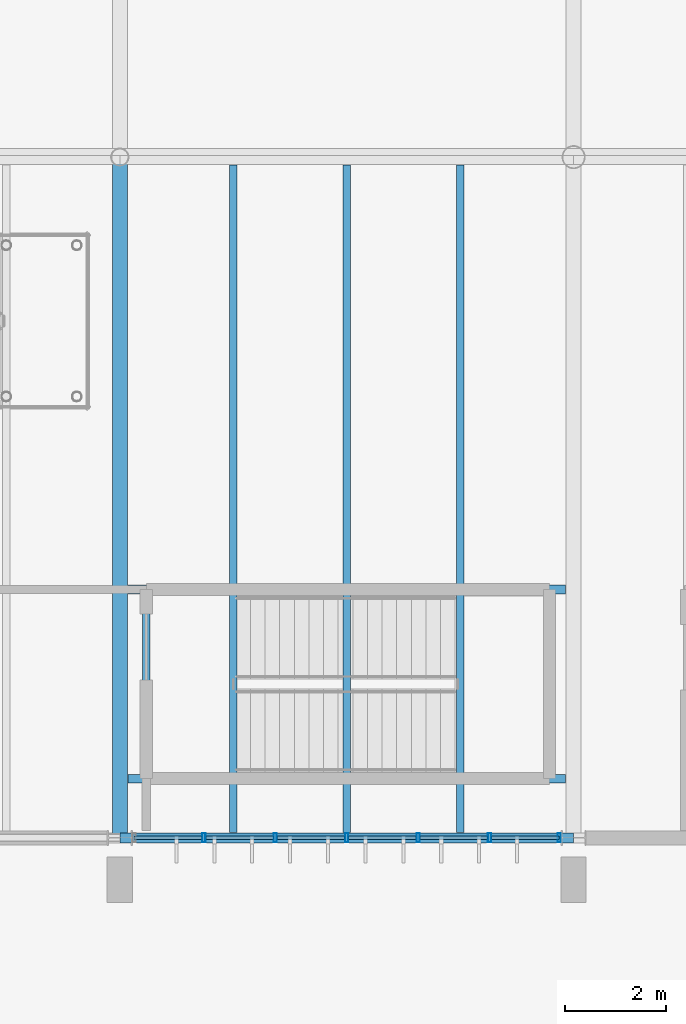
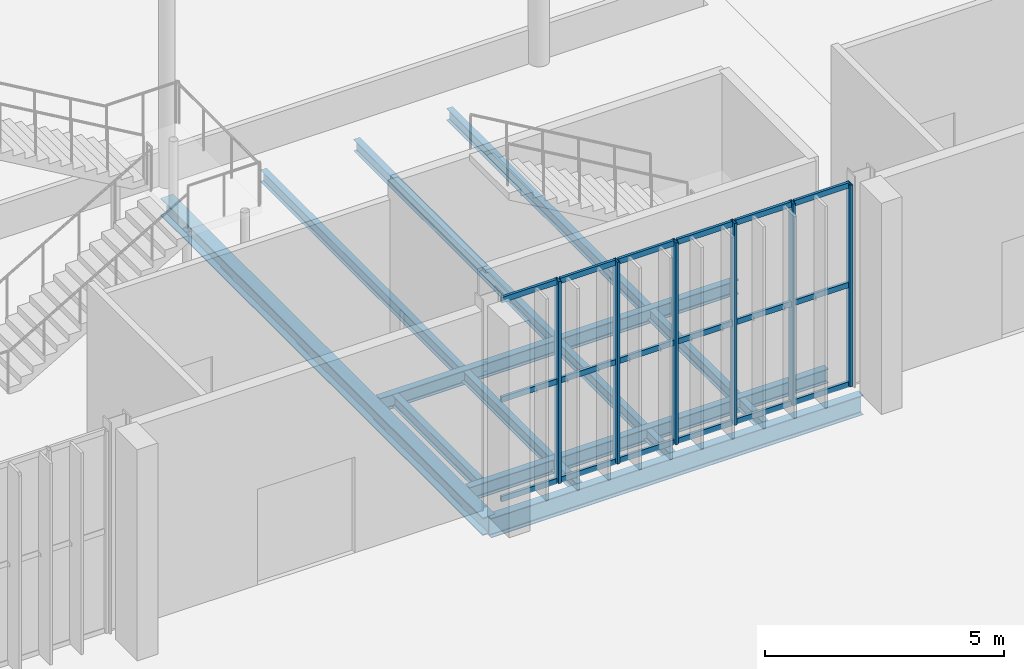
# One storey, part 39 of 158: 24 members, 8 beams, 1 element without a shape of its own.
"""IFC4 building model written with IfcOpenShell, lengths in metres."""

from ifc_helpers import new_model, si_unit, derived_unit, direction, frame, origin, origin_2d, place, context, subcontext, project, spatial, hollow_rectangle, i_section, extrude, material, material_profile, profile_set, type_object, element, aggregate, save


model = new_model("IFC4")

# Units and contexts
model_context = context("Model", 3, precision=1e-05, world=origin(), true_north=direction((0.0, 1.0)))
body_context = subcontext(model_context, "Body", "Model", "MODEL_VIEW")
ifc_project = project(units=[si_unit("LENGTHUNIT", "METRE"), si_unit("AREAUNIT", "SQUARE_METRE"), si_unit("VOLUMEUNIT", "CUBIC_METRE"), si_unit("PLANEANGLEUNIT", "RADIAN"), si_unit("MASSUNIT", "GRAM", prefix="KILO"), si_unit("THERMODYNAMICTEMPERATUREUNIT", "KELVIN"), si_unit("TIMEUNIT", "SECOND"), derived_unit("THERMALTRANSMITTANCEUNIT", [(si_unit("MASSUNIT", "GRAM", prefix="KILO"), 1), (si_unit("THERMODYNAMICTEMPERATUREUNIT", "KELVIN"), -1), (si_unit("TIMEUNIT", "SECOND"), -3)])], contexts=[model_context])

# Site, building, storey
site_placement = place(None, origin())
site = spatial("IfcSite", under=ifc_project, at=site_placement, CompositionType="ELEMENT")
building_placement = place(site_placement, origin())
building = spatial("IfcBuilding", under=site, at=building_placement, Name="Cambertide Market Hall", CompositionType="ELEMENT")
storey_placement = place(building_placement, origin())
storey = spatial("IfcBuildingStorey", under=building, at=storey_placement, Name="L01", CompositionType="ELEMENT", Elevation=0.0)

# Curtain wall, members
ifc_material_1 = material(Name="Marine Anodized Aluminium 6063-T6 AA25", Category="aluminium")
curtain_wall_type = type_object("IfcCurtainWallType", Name="Lantern Straight Lower Curtain Wall", PredefinedType="USERDEFINED", material=ifc_material_1)
curtain_wall_placement = place(storey_placement, origin())
curtain_wall = element("IfcCurtainWall", 1, at=curtain_wall_placement, inside=storey, type_object=curtain_wall_type, Name="Level 1 Curtain Wall CW-V1S-L01-3", ObjectType="UNITIZED CURTAIN WALL", PredefinedType="USERDEFINED")
ifc_material_2 = material(Name="Champagne Marine Anodized Aluminium 6063-T6 AA25", Category="aluminium")
ifc_material_profile_1 = material_profile(ifc_material_2, hollow_rectangle(XDim=0.06494140625, YDim=0.179931640625, WallThickness=0.00390625, at=origin_2d()), Name="ALU MULLION 65x180")
ifc_profile_set_1 = profile_set([ifc_material_profile_1], Name="Champagne Marine Anodized Aluminium 6063-T6 AA25")
member_type_1 = type_object("IfcMemberType", Name="Curtain Wall Mullion ALU MULLION 65x180", PredefinedType="MULLION", material=ifc_profile_set_1)
member_1_placement = place(storey_placement, frame((68.715087890625, 52.0, 0.0), z_axis=(0.0, 0.0, 1.0), x_axis=(-1.0, 0.0, 0.0)))
member_1 = element("IfcMember", 2, at=member_1_placement, type_object=member_type_1, Name="CW-V1S-L01-3 Mullion 1", PredefinedType="MULLION", context=body_context, shape_type="SweptSolid", body=[
    extrude(hollow_rectangle(XDim=0.06494140625, YDim=0.179931640625, WallThickness=0.00390625, at=origin_2d()), origin(), (0.0, 0.0, 1.0), 5.159912109375),
])
member_2_placement = place(storey_placement, frame((67.333251953125, 52.0, 0.0), z_axis=(0.0, 0.0, 1.0), x_axis=(-1.0, 0.0, 0.0)))
member_2 = element("IfcMember", 3, at=member_2_placement, type_object=member_type_1, Name="CW-V1S-L01-3 Mullion 2", PredefinedType="MULLION", context=body_context, shape_type="SweptSolid", body=[
    extrude(hollow_rectangle(XDim=0.06494140625, YDim=0.179931640625, WallThickness=0.00390625, at=origin_2d()), origin(), (0.0, 0.0, 1.0), 5.159912109375),
])
member_3_placement = place(storey_placement, frame((65.916748046875, 52.0, 0.0), z_axis=(0.0, 0.0, 1.0), x_axis=(-1.0, 0.0, 0.0)))
member_3 = element("IfcMember", 4, at=member_3_placement, type_object=member_type_1, Name="CW-V1S-L01-3 Mullion 3", PredefinedType="MULLION", context=body_context, shape_type="SweptSolid", body=[
    extrude(hollow_rectangle(XDim=0.06494140625, YDim=0.179931640625, WallThickness=0.00390625, at=origin_2d()), origin(), (0.0, 0.0, 1.0), 5.159912109375),
])
member_4_placement = place(storey_placement, frame((64.5, 52.0, 0.0), z_axis=(0.0, 0.0, 1.0), x_axis=(-1.0, 0.0, 0.0)))
member_4 = element("IfcMember", 5, at=member_4_placement, type_object=member_type_1, Name="CW-V1S-L01-3 Mullion 4", PredefinedType="MULLION", context=body_context, shape_type="SweptSolid", body=[
    extrude(hollow_rectangle(XDim=0.06494140625, YDim=0.179931640625, WallThickness=0.00390625, at=origin_2d()), origin(), (0.0, 0.0, 1.0), 5.159912109375),
])
member_5_placement = place(storey_placement, frame((63.083251953125, 52.0, 0.0), z_axis=(0.0, 0.0, 1.0), x_axis=(-1.0, 0.0, 0.0)))
member_5 = element("IfcMember", 6, at=member_5_placement, type_object=member_type_1, Name="CW-V1S-L01-3 Mullion 5", PredefinedType="MULLION", context=body_context, shape_type="SweptSolid", body=[
    extrude(hollow_rectangle(XDim=0.06494140625, YDim=0.179931640625, WallThickness=0.00390625, at=origin_2d()), origin(), (0.0, 0.0, 1.0), 5.159912109375),
])
member_6_placement = place(storey_placement, frame((61.666748046875, 52.0, 0.0), z_axis=(0.0, 0.0, 1.0), x_axis=(-1.0, 0.0, 0.0)))
member_6 = element("IfcMember", 7, at=member_6_placement, type_object=member_type_1, Name="CW-V1S-L01-3 Mullion 6", PredefinedType="MULLION", context=body_context, shape_type="SweptSolid", body=[
    extrude(hollow_rectangle(XDim=0.06494140625, YDim=0.179931640625, WallThickness=0.00390625, at=origin_2d()), origin(), (0.0, 0.0, 1.0), 5.159912109375),
])
ifc_material_3 = material(Name="Champagne Marine Anodized Aluminium 6063-T6 AA25", Category="aluminium")
ifc_material_profile_2 = material_profile(ifc_material_3, hollow_rectangle(XDim=0.06494140625, YDim=0.139892578125, WallThickness=0.00341796875, at=origin_2d()), Name="ALU TRANSOM 65x140")
ifc_profile_set_2 = profile_set([ifc_material_profile_2], Name="Champagne Marine Anodized Aluminium 6063-T6 AA25")
member_type_2 = type_object("IfcMemberType", Name="Curtain Wall Transom ALU TRANSOM 65x140", PredefinedType="USERDEFINED", material=ifc_profile_set_2)
member_7_placement = place(storey_placement, frame((68.7099609375, 52.0, 0.034912109375), z_axis=(-1.0, 0.0, 0.0), x_axis=(0.0, -1.0, 0.0)))
member_7 = element("IfcMember", 8, at=member_7_placement, type_object=member_type_2, Name="CW-V1S-L01-3 Transom 1-1", ObjectType="TRANSOM", PredefinedType="USERDEFINED", context=body_context, shape_type="SweptSolid", body=[
    extrude(hollow_rectangle(XDim=0.06494140625, YDim=0.139892578125, WallThickness=0.00341796875, at=origin_2d()), origin(), (0.0, 0.0, 1.0), 1.336669921875),
])
member_8_placement = place(storey_placement, frame((67.293212890625, 52.0, 0.034912109375), z_axis=(-1.0, 0.0, 0.0), x_axis=(0.0, -1.0, 0.0)))
member_8 = element("IfcMember", 9, at=member_8_placement, type_object=member_type_2, Name="CW-V1S-L01-3 Transom 1-2", ObjectType="TRANSOM", PredefinedType="USERDEFINED", context=body_context, shape_type="SweptSolid", body=[
    extrude(hollow_rectangle(XDim=0.06494140625, YDim=0.139892578125, WallThickness=0.00341796875, at=origin_2d()), origin(), (0.0, 0.0, 1.0), 1.33642578125),
])
member_9_placement = place(storey_placement, frame((65.876708984375, 52.0, 0.034912109375), z_axis=(-1.0, 0.0, 0.0), x_axis=(0.0, -1.0, 0.0)))
member_9 = element("IfcMember", 10, at=member_9_placement, type_object=member_type_2, Name="CW-V1S-L01-3 Transom 1-3", ObjectType="TRANSOM", PredefinedType="USERDEFINED", context=body_context, shape_type="SweptSolid", body=[
    extrude(hollow_rectangle(XDim=0.06494140625, YDim=0.139892578125, WallThickness=0.00341796875, at=origin_2d()), origin(), (0.0, 0.0, 1.0), 1.336669921875),
])
member_10_placement = place(storey_placement, frame((64.4599609375, 52.0, 0.034912109375), z_axis=(-1.0, 0.0, 0.0), x_axis=(0.0, -1.0, 0.0)))
member_10 = element("IfcMember", 11, at=member_10_placement, type_object=member_type_2, Name="CW-V1S-L01-3 Transom 1-4", ObjectType="TRANSOM", PredefinedType="USERDEFINED", context=body_context, shape_type="SweptSolid", body=[
    extrude(hollow_rectangle(XDim=0.06494140625, YDim=0.139892578125, WallThickness=0.00341796875, at=origin_2d()), origin(), (0.0, 0.0, 1.0), 1.336669921875),
])
member_11_placement = place(storey_placement, frame((63.043212890625, 52.0, 0.034912109375), z_axis=(-1.0, 0.0, 0.0), x_axis=(0.0, -1.0, 0.0)))
member_11 = element("IfcMember", 12, at=member_11_placement, type_object=member_type_2, Name="CW-V1S-L01-3 Transom 1-5", ObjectType="TRANSOM", PredefinedType="USERDEFINED", context=body_context, shape_type="SweptSolid", body=[
    extrude(hollow_rectangle(XDim=0.06494140625, YDim=0.139892578125, WallThickness=0.00341796875, at=origin_2d()), origin(), (0.0, 0.0, 1.0), 1.33642578125),
])
member_12_placement = place(storey_placement, frame((61.626708984375, 52.0, 0.034912109375), z_axis=(-1.0, 0.0, 0.0), x_axis=(0.0, -1.0, 0.0)))
member_12 = element("IfcMember", 13, at=member_12_placement, type_object=member_type_2, Name="CW-V1S-L01-3 Transom 1-6", ObjectType="TRANSOM", PredefinedType="USERDEFINED", context=body_context, shape_type="SweptSolid", body=[
    extrude(hollow_rectangle(XDim=0.06494140625, YDim=0.139892578125, WallThickness=0.00341796875, at=origin_2d()), origin(), (0.0, 0.0, 1.0), 1.336669921875),
])
member_13_placement = place(storey_placement, frame((68.7099609375, 52.0, 2.580078125), z_axis=(-1.0, 0.0, 0.0), x_axis=(0.0, -1.0, 0.0)))
member_13 = element("IfcMember", 14, at=member_13_placement, type_object=member_type_2, Name="CW-V1S-L01-3 Transom 2-1", ObjectType="TRANSOM", PredefinedType="USERDEFINED", context=body_context, shape_type="SweptSolid", body=[
    extrude(hollow_rectangle(XDim=0.06494140625, YDim=0.139892578125, WallThickness=0.00341796875, at=origin_2d()), origin(), (0.0, 0.0, 1.0), 1.336669921875),
])
member_14_placement = place(storey_placement, frame((67.293212890625, 52.0, 2.580078125), z_axis=(-1.0, 0.0, 0.0), x_axis=(0.0, -1.0, 0.0)))
member_14 = element("IfcMember", 15, at=member_14_placement, type_object=member_type_2, Name="CW-V1S-L01-3 Transom 2-2", ObjectType="TRANSOM", PredefinedType="USERDEFINED", context=body_context, shape_type="SweptSolid", body=[
    extrude(hollow_rectangle(XDim=0.06494140625, YDim=0.139892578125, WallThickness=0.00341796875, at=origin_2d()), origin(), (0.0, 0.0, 1.0), 1.33642578125),
])
member_15_placement = place(storey_placement, frame((65.876708984375, 52.0, 2.580078125), z_axis=(-1.0, 0.0, 0.0), x_axis=(0.0, -1.0, 0.0)))
member_15 = element("IfcMember", 16, at=member_15_placement, type_object=member_type_2, Name="CW-V1S-L01-3 Transom 2-3", ObjectType="TRANSOM", PredefinedType="USERDEFINED", context=body_context, shape_type="SweptSolid", body=[
    extrude(hollow_rectangle(XDim=0.06494140625, YDim=0.139892578125, WallThickness=0.00341796875, at=origin_2d()), origin(), (0.0, 0.0, 1.0), 1.336669921875),
])
member_16_placement = place(storey_placement, frame((64.4599609375, 52.0, 2.580078125), z_axis=(-1.0, 0.0, 0.0), x_axis=(0.0, -1.0, 0.0)))
member_16 = element("IfcMember", 17, at=member_16_placement, type_object=member_type_2, Name="CW-V1S-L01-3 Transom 2-4", ObjectType="TRANSOM", PredefinedType="USERDEFINED", context=body_context, shape_type="SweptSolid", body=[
    extrude(hollow_rectangle(XDim=0.06494140625, YDim=0.139892578125, WallThickness=0.00341796875, at=origin_2d()), origin(), (0.0, 0.0, 1.0), 1.336669921875),
])
member_17_placement = place(storey_placement, frame((63.043212890625, 52.0, 2.580078125), z_axis=(-1.0, 0.0, 0.0), x_axis=(0.0, -1.0, 0.0)))
member_17 = element("IfcMember", 18, at=member_17_placement, type_object=member_type_2, Name="CW-V1S-L01-3 Transom 2-5", ObjectType="TRANSOM", PredefinedType="USERDEFINED", context=body_context, shape_type="SweptSolid", body=[
    extrude(hollow_rectangle(XDim=0.06494140625, YDim=0.139892578125, WallThickness=0.00341796875, at=origin_2d()), origin(), (0.0, 0.0, 1.0), 1.33642578125),
])
member_18_placement = place(storey_placement, frame((61.626708984375, 52.0, 2.580078125), z_axis=(-1.0, 0.0, 0.0), x_axis=(0.0, -1.0, 0.0)))
member_18 = element("IfcMember", 19, at=member_18_placement, type_object=member_type_2, Name="CW-V1S-L01-3 Transom 2-6", ObjectType="TRANSOM", PredefinedType="USERDEFINED", context=body_context, shape_type="SweptSolid", body=[
    extrude(hollow_rectangle(XDim=0.06494140625, YDim=0.139892578125, WallThickness=0.00341796875, at=origin_2d()), origin(), (0.0, 0.0, 1.0), 1.336669921875),
])
member_19_placement = place(storey_placement, frame((68.7099609375, 52.0, 5.125), z_axis=(-1.0, 0.0, 0.0), x_axis=(0.0, -1.0, 0.0)))
member_19 = element("IfcMember", 20, at=member_19_placement, type_object=member_type_2, Name="CW-V1S-L01-3 Transom 3-1", ObjectType="TRANSOM", PredefinedType="USERDEFINED", context=body_context, shape_type="SweptSolid", body=[
    extrude(hollow_rectangle(XDim=0.06494140625, YDim=0.139892578125, WallThickness=0.00341796875, at=origin_2d()), origin(), (0.0, 0.0, 1.0), 1.336669921875),
])
member_20_placement = place(storey_placement, frame((67.293212890625, 52.0, 5.125), z_axis=(-1.0, 0.0, 0.0), x_axis=(0.0, -1.0, 0.0)))
member_20 = element("IfcMember", 21, at=member_20_placement, type_object=member_type_2, Name="CW-V1S-L01-3 Transom 3-2", ObjectType="TRANSOM", PredefinedType="USERDEFINED", context=body_context, shape_type="SweptSolid", body=[
    extrude(hollow_rectangle(XDim=0.06494140625, YDim=0.139892578125, WallThickness=0.00341796875, at=origin_2d()), origin(), (0.0, 0.0, 1.0), 1.33642578125),
])
member_21_placement = place(storey_placement, frame((65.876708984375, 52.0, 5.125), z_axis=(-1.0, 0.0, 0.0), x_axis=(0.0, -1.0, 0.0)))
member_21 = element("IfcMember", 22, at=member_21_placement, type_object=member_type_2, Name="CW-V1S-L01-3 Transom 3-3", ObjectType="TRANSOM", PredefinedType="USERDEFINED", context=body_context, shape_type="SweptSolid", body=[
    extrude(hollow_rectangle(XDim=0.06494140625, YDim=0.139892578125, WallThickness=0.00341796875, at=origin_2d()), origin(), (0.0, 0.0, 1.0), 1.336669921875),
])
member_22_placement = place(storey_placement, frame((64.4599609375, 52.0, 5.125), z_axis=(-1.0, 0.0, 0.0), x_axis=(0.0, -1.0, 0.0)))
member_22 = element("IfcMember", 23, at=member_22_placement, type_object=member_type_2, Name="CW-V1S-L01-3 Transom 3-4", ObjectType="TRANSOM", PredefinedType="USERDEFINED", context=body_context, shape_type="SweptSolid", body=[
    extrude(hollow_rectangle(XDim=0.06494140625, YDim=0.139892578125, WallThickness=0.00341796875, at=origin_2d()), origin(), (0.0, 0.0, 1.0), 1.336669921875),
])
member_23_placement = place(storey_placement, frame((63.043212890625, 52.0, 5.125), z_axis=(-1.0, 0.0, 0.0), x_axis=(0.0, -1.0, 0.0)))
member_23 = element("IfcMember", 24, at=member_23_placement, type_object=member_type_2, Name="CW-V1S-L01-3 Transom 3-5", ObjectType="TRANSOM", PredefinedType="USERDEFINED", context=body_context, shape_type="SweptSolid", body=[
    extrude(hollow_rectangle(XDim=0.06494140625, YDim=0.139892578125, WallThickness=0.00341796875, at=origin_2d()), origin(), (0.0, 0.0, 1.0), 1.33642578125),
])
member_24_placement = place(storey_placement, frame((61.626708984375, 52.0, 5.125), z_axis=(-1.0, 0.0, 0.0), x_axis=(0.0, -1.0, 0.0)))
member_24 = element("IfcMember", 25, at=member_24_placement, type_object=member_type_2, Name="CW-V1S-L01-3 Transom 3-6", ObjectType="TRANSOM", PredefinedType="USERDEFINED", context=body_context, shape_type="SweptSolid", body=[
    extrude(hollow_rectangle(XDim=0.06494140625, YDim=0.139892578125, WallThickness=0.00341796875, at=origin_2d()), origin(), (0.0, 0.0, 1.0), 1.336669921875),
])
aggregate(curtain_wall, [member_1, member_2, member_3, member_4, member_5, member_6, member_7, member_8, member_9, member_10, member_11, member_12, member_13, member_14, member_15, member_16, member_17, member_18, member_19, member_20, member_21, member_22, member_23, member_24])

# Beams
ifc_material_4 = material(Name="Steel S355", Category="steel")
ifc_material_profile_3 = material_profile(ifc_material_4, i_section(OverallWidth=0.300048828125, OverallDepth=0.449951171875, WebThickness=0.013916015625, FlangeThickness=0.02587890625, FilletRadius=0.027099609375, at=origin_2d()), Name="HEB 450")
ifc_profile_set_3 = profile_set([ifc_material_profile_3], Name="Steel S355")
beam_type_1 = type_object("IfcBeamType", Name="Steel Girder HEB 450", PredefinedType="BEAM", material=ifc_profile_set_3)
beam_1_placement = place(storey_placement, frame((60.0, 52.0, -0.534912109375), z_axis=(0.0, 1.0, 0.0), x_axis=(-1.0, 0.0, 0.0)))
element("IfcBeam", 26, at=beam_1_placement, inside=storey, type_object=beam_type_1, Name="Level 1 Beam BM-V1TS-L01-3", PredefinedType="BEAM", context=body_context, shape_type="SweptSolid", body=[
    extrude(i_section(OverallWidth=0.300048828125, OverallDepth=0.449951171875, WebThickness=0.013916015625, FlangeThickness=0.02587890625, FilletRadius=0.027099609375, at=origin_2d()), origin(), (0.0, 0.0, 1.0), 13.5),
])
ifc_material_5 = material(Name="Steel S355", Category="steel")
ifc_material_profile_4 = material_profile(ifc_material_5, i_section(OverallWidth=0.169921875, OverallDepth=0.360107421875, WebThickness=0.008056640625, FlangeThickness=0.0126953125, FilletRadius=0.01806640625, at=origin_2d()), Name="IPE 360")
ifc_profile_set_4 = profile_set([ifc_material_profile_4], Name="Steel S355")
beam_type_2 = type_object("IfcBeamType", Name="Steel Girder IPE 360", PredefinedType="BEAM", material=ifc_profile_set_4)
for number, where, z_axis, x_axis, name in (
    (27, (60.157958984375, 53.175048828125, -0.47998046875), (1.0, 0.0, 0.0), (0.0, 1.0, 0.0), "Level 1 Beam BM-ST02-SHWL"),
    (28, (60.157958984375, 56.925048828125, -0.47998046875), (1.0, 0.0, 0.0), (0.0, 1.0, 0.0), "Level 1 Beam BM-ST02-SHWR"),
):
    element("IfcBeam", number, at=place(storey_placement, frame(where, z_axis=z_axis, x_axis=x_axis)), inside=storey, type_object=beam_type_2, Name=name, PredefinedType="BEAM", context=body_context, shape_type="SweptSolid", body=[
        extrude(i_section(OverallWidth=0.169921875, OverallDepth=0.360107421875, WebThickness=0.008056640625, FlangeThickness=0.0126953125, FilletRadius=0.01806640625, at=origin_2d()), origin(), (0.0, 0.0, 1.0), 8.68408203125),
    ])
ifc_material_6 = material(Name="Steel S355", Category="steel")
ifc_material_profile_5 = material_profile(ifc_material_6, i_section(OverallWidth=0.199951171875, OverallDepth=0.5, WebThickness=0.01025390625, FlangeThickness=0.01611328125, FilletRadius=0.02099609375, at=origin_2d()), Name="IPE 500")
ifc_profile_set_5 = profile_set([ifc_material_profile_5], Name="Steel S355")
beam_type_3 = type_object("IfcBeamType", Name="Steel Girder IPE 500", PredefinedType="BEAM", material=ifc_profile_set_5)
beam_2_placement = place(storey_placement, frame((60.0, 52.0, -0.56005859375), z_axis=(1.0, 0.0, 0.0), x_axis=(0.0, 1.0, 0.0)))
element("IfcBeam", 29, at=beam_2_placement, inside=storey, type_object=beam_type_3, Name="Level 1 Beam BM-V1S-L01-3", PredefinedType="BEAM", context=body_context, shape_type="SweptSolid", body=[
    extrude(i_section(OverallWidth=0.199951171875, OverallDepth=0.5, WebThickness=0.01025390625, FlangeThickness=0.01611328125, FilletRadius=0.02099609375, at=origin_2d()), origin(), (0.0, 0.0, 1.0), 9.0),
])
ifc_material_7 = material(Name="Steel S275", Category="steel")
ifc_material_profile_6 = material_profile(ifc_material_7, i_section(OverallWidth=0.14990234375, OverallDepth=0.300048828125, WebThickness=0.007080078125, FlangeThickness=0.0107421875, FilletRadius=0.014892578125, at=origin_2d()), Name="IPE 300")
ifc_profile_set_6 = profile_set([ifc_material_profile_6], Name="Steel S275")
beam_type_4 = type_object("IfcBeamType", Name="Steel Secondary Joist IPE 300", PredefinedType="JOIST", material=ifc_profile_set_6)
for number, where, z_axis, x_axis, name in (
    (30, (62.25, 52.10791015625, -0.4599609375), (0.0, 1.0, 0.0), (-1.0, 0.0, 0.0), "Level 1 Joist JS-V1S-L01-3-1"),
    (31, (64.5, 52.10791015625, -0.4599609375), (0.0, 1.0, 0.0), (-1.0, 0.0, 0.0), "Level 1 Joist JS-V1S-L01-3-2"),
    (32, (66.75, 52.10791015625, -0.4599609375), (0.0, 1.0, 0.0), (-1.0, 0.0, 0.0), "Level 1 Joist JS-V1S-L01-3-3"),
):
    element("IfcBeam", number, at=place(storey_placement, frame(where, z_axis=z_axis, x_axis=x_axis)), inside=storey, type_object=beam_type_4, Name=name, PredefinedType="JOIST", context=body_context, shape_type="SweptSolid", body=[
        extrude(i_section(OverallWidth=0.14990234375, OverallDepth=0.300048828125, WebThickness=0.007080078125, FlangeThickness=0.0107421875, FilletRadius=0.014892578125, at=origin_2d()), origin(), (0.0, 0.0, 1.0), 13.234130859375),
    ])
beam_3_placement = place(storey_placement, frame((60.52490234375, 53.26806640625, -0.449951171875), z_axis=(0.0, 1.0, 0.0), x_axis=(-1.0, 0.0, 0.0)))
element("IfcBeam", 33, at=beam_3_placement, inside=storey, type_object=beam_type_4, Name="Level 1 Joist BM-ST02-SHWN", PredefinedType="JOIST", context=body_context, shape_type="SweptSolid", body=[
    extrude(i_section(OverallWidth=0.14990234375, OverallDepth=0.300048828125, WebThickness=0.007080078125, FlangeThickness=0.0107421875, FilletRadius=0.014892578125, at=origin_2d()), origin(), (0.0, 0.0, 1.0), 3.56396484375),
])

save(model, "model.ifc")
